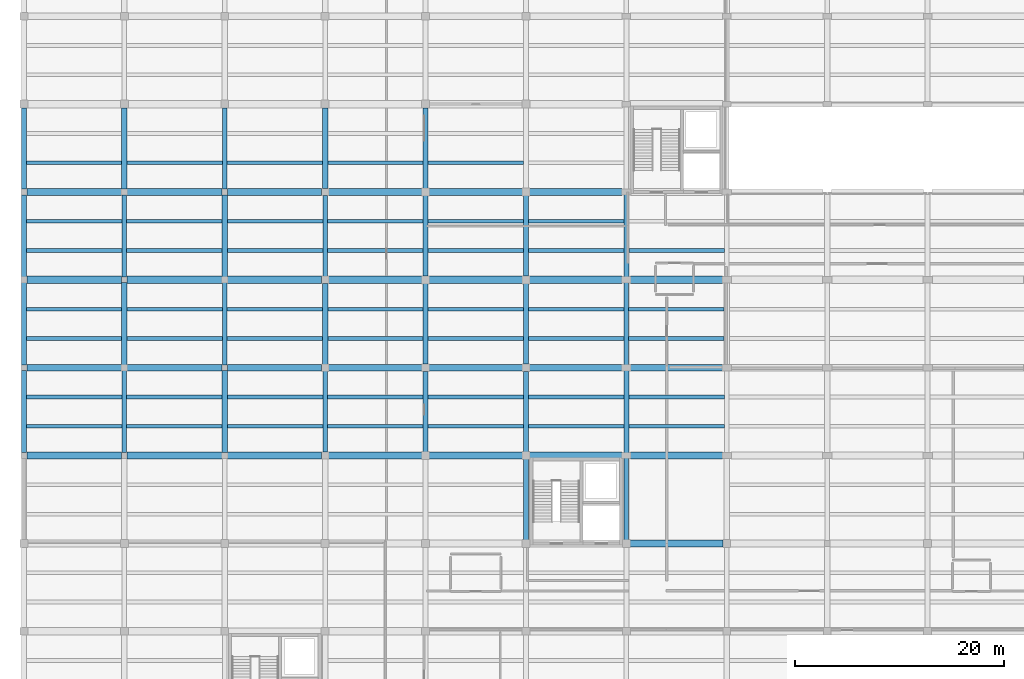
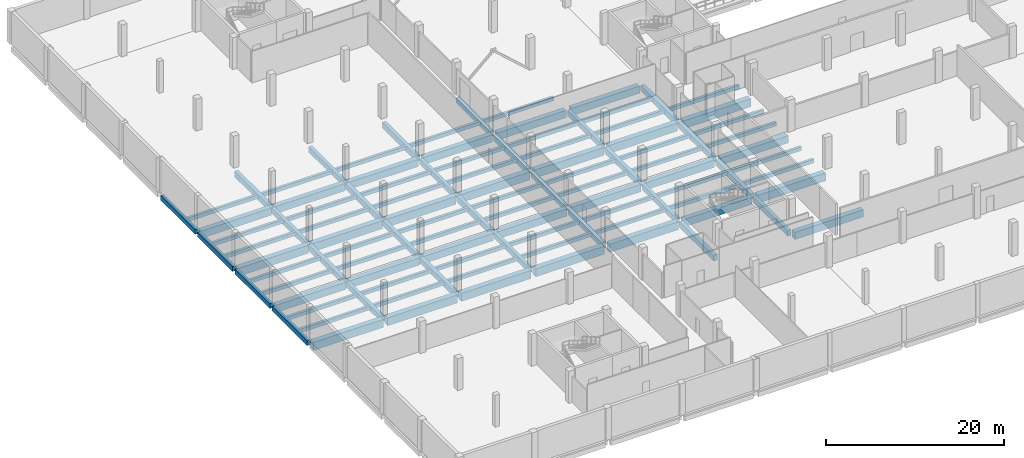
# One storey, part 6 of 30: 102 beams.
"""IFC4 building model written with IfcOpenShell, lengths in metres."""

from ifc_helpers import new_model, si_unit, direction, frame, origin, origin_2d, place, context, subcontext, project, spatial, rectangle, extrude, material, material_profile, profile_set, type_object, element, save


model = new_model("IFC4")

# Units and contexts
model_context = context("Model", 3, precision=1e-05, world=origin(), true_north=direction((0.0, 1.0)))
body_context = subcontext(model_context, "Body", "Model", "MODEL_VIEW")
ifc_project = project(units=[si_unit("LENGTHUNIT", "METRE"), si_unit("AREAUNIT", "SQUARE_METRE"), si_unit("VOLUMEUNIT", "CUBIC_METRE"), si_unit("PLANEANGLEUNIT", "RADIAN"), si_unit("MASSUNIT", "GRAM", prefix="KILO")], contexts=[model_context])

# Site, building, storey
site_placement = place(None, origin())
site = spatial("IfcSite", under=ifc_project, at=site_placement, CompositionType="ELEMENT")
building_placement = place(site_placement, origin())
building = spatial("IfcBuilding", under=site, at=building_placement, Name="Lornevale Opera House", CompositionType="ELEMENT")
storey_placement = place(building_placement, frame((0.0, 0.0, -4.800048828125)))
storey = spatial("IfcBuildingStorey", under=building, at=storey_placement, Name="B1", CompositionType="ELEMENT", Elevation=-4.800048828125)

# Beams
ifc_material_1 = material(Name="Concrete 35 MPa (CSA A23.1 N)", Category="concrete")
ifc_material_profile_1 = material_profile(ifc_material_1, rectangle(XDim=0.449951171875, YDim=0.75, at=origin_2d()), Name="RC450x750")
ifc_profile_set_1 = profile_set([ifc_material_profile_1], Name="Concrete 35 MPa (CSA A23.1 N)")
beam_type_1 = type_object("IfcBeamType", Name="Concrete Floor Beam 450x750", PredefinedType="USERDEFINED", material=ifc_profile_set_1)
beam_1_placement = place(storey_placement, frame((9.60009765625, 33.875, -0.794921875), z_axis=(0.0, 1.0, 0.0), x_axis=(-1.0, 0.0, 0.0)))
element("IfcBeam", 1, at=beam_1_placement, inside=storey, type_object=beam_type_1, Name="Concrete Floor Beam 450x750 0250", ObjectType="GIRDER", PredefinedType="USERDEFINED", context=body_context, shape_type="SweptSolid", body=[
    extrude(rectangle(XDim=0.449951171875, YDim=0.75, at=origin_2d()), origin(), (0.0, 0.0, 1.0), 7.85009765625),
])
beam_2_placement = place(storey_placement, frame((9.60009765625, 50.675048828125, -0.794921875), z_axis=(0.0, 1.0, 0.0), x_axis=(-1.0, 0.0, 0.0)))
element("IfcBeam", 2, at=beam_2_placement, inside=storey, type_object=beam_type_1, Name="Concrete Floor Beam 450x750 0252", ObjectType="GIRDER", PredefinedType="USERDEFINED", context=body_context, shape_type="SweptSolid", body=[
    extrude(rectangle(XDim=0.449951171875, YDim=0.75, at=origin_2d()), origin(), (0.0, 0.0, 1.0), 7.849853515625),
])
beam_3_placement = place(storey_placement, frame((19.199951171875, 42.27490234375, -0.794921875), z_axis=(0.0, 1.0, 0.0), x_axis=(-1.0, 0.0, 0.0)))
element("IfcBeam", 3, at=beam_3_placement, inside=storey, type_object=beam_type_1, Name="Concrete Floor Beam 450x750 0263", ObjectType="GIRDER", PredefinedType="USERDEFINED", context=body_context, shape_type="SweptSolid", body=[
    extrude(rectangle(XDim=0.449951171875, YDim=0.75, at=origin_2d()), origin(), (0.0, 0.0, 1.0), 7.85009765625),
])
beam_4_placement = place(storey_placement, frame((19.199951171875, 59.074951171875, -0.794921875), z_axis=(0.0, 1.0, 0.0), x_axis=(-1.0, 0.0, 0.0)))
element("IfcBeam", 4, at=beam_4_placement, inside=storey, type_object=beam_type_1, Name="Concrete Floor Beam 450x750 0265", ObjectType="GIRDER", PredefinedType="USERDEFINED", context=body_context, shape_type="SweptSolid", body=[
    extrude(rectangle(XDim=0.449951171875, YDim=0.75, at=origin_2d()), origin(), (0.0, 0.0, 1.0), 7.775146484375),
])
for number, where, z_axis, x_axis, name in (
    (5, (28.800048828125, 33.925048828125, -0.794921875), (0.0, 1.0, 0.0), (-1.0, 0.0, 0.0), "Concrete Floor Beam 450x750 0274"),
    (6, (28.800048828125, 50.72509765625, -0.794921875), (0.0, 1.0, 0.0), (-1.0, 0.0, 0.0), "Concrete Floor Beam 450x750 0276"),
):
    element("IfcBeam", number, at=place(storey_placement, frame(where, z_axis=z_axis, x_axis=x_axis)), inside=storey, type_object=beam_type_1, Name=name, ObjectType="GIRDER", PredefinedType="USERDEFINED", context=body_context, shape_type="SweptSolid", body=[
        extrude(rectangle(XDim=0.449951171875, YDim=0.75, at=origin_2d()), origin(), (0.0, 0.0, 1.0), 7.75),
    ])
beam_5_placement = place(storey_placement, frame((38.39990234375, 42.35009765625, -0.794921875), z_axis=(0.0, 1.0, 0.0), x_axis=(-1.0, 0.0, 0.0)))
element("IfcBeam", 7, at=beam_5_placement, inside=storey, type_object=beam_type_1, Name="Concrete Floor Beam 450x750 0287", ObjectType="GIRDER", PredefinedType="USERDEFINED", context=body_context, shape_type="SweptSolid", body=[
    extrude(rectangle(XDim=0.449951171875, YDim=0.75, at=origin_2d()), origin(), (0.0, 0.0, 1.0), 7.699951171875),
])
beam_6_placement = place(storey_placement, frame((38.39990234375, 59.14990234375, -0.794921875), z_axis=(0.0, 1.0, 0.0), x_axis=(-1.0, 0.0, 0.0)))
element("IfcBeam", 8, at=beam_6_placement, inside=storey, type_object=beam_type_1, Name="Concrete Floor Beam 450x750 0289", ObjectType="GIRDER", PredefinedType="USERDEFINED", context=body_context, shape_type="SweptSolid", body=[
    extrude(rectangle(XDim=0.449951171875, YDim=0.75, at=origin_2d()), origin(), (0.0, 0.0, 1.0), 7.7001953125),
])
for number, where, z_axis, x_axis, name in (
    (9, (48.0, 33.949951171875, -0.794921875), (0.0, 1.0, 0.0), (-1.0, 0.0, 0.0), "Concrete Floor Beam 450x750 0300"),
    (10, (48.0, 50.75, -0.794921875), (0.0, 1.0, 0.0), (-1.0, 0.0, 0.0), "Concrete Floor Beam 450x750 0302"),
):
    element("IfcBeam", number, at=place(storey_placement, frame(where, z_axis=z_axis, x_axis=x_axis)), inside=storey, type_object=beam_type_1, Name=name, ObjectType="GIRDER", PredefinedType="USERDEFINED", context=body_context, shape_type="SweptSolid", body=[
        extrude(rectangle(XDim=0.449951171875, YDim=0.75, at=origin_2d()), origin(), (0.0, 0.0, 1.0), 7.699951171875),
    ])
beam_7_placement = place(storey_placement, frame((57.60009765625, 25.550048828125, -0.794921875), z_axis=(0.0, 1.0, 0.0), x_axis=(-1.0, 0.0, 0.0)))
element("IfcBeam", 11, at=beam_7_placement, inside=storey, type_object=beam_type_1, Name="Concrete Floor Beam 450x750 0313", ObjectType="GIRDER", PredefinedType="USERDEFINED", context=body_context, shape_type="SweptSolid", body=[
    extrude(rectangle(XDim=0.449951171875, YDim=0.75, at=origin_2d()), origin(), (0.0, 0.0, 1.0), 7.800048828125),
])
beam_8_placement = place(storey_placement, frame((57.60009765625, 42.25, -0.794921875), z_axis=(0.0, 1.0, 0.0), x_axis=(-1.0, 0.0, 0.0)))
element("IfcBeam", 12, at=beam_8_placement, inside=storey, type_object=beam_type_1, Name="Concrete Floor Beam 450x750 0315", ObjectType="GIRDER", PredefinedType="USERDEFINED", context=body_context, shape_type="SweptSolid", body=[
    extrude(rectangle(XDim=0.449951171875, YDim=0.75, at=origin_2d()), origin(), (0.0, 0.0, 1.0), 7.89990234375),
])
ifc_material_profile_2 = material_profile(ifc_material_1, rectangle(XDim=0.5, YDim=0.800048828125, at=origin_2d()), Name="RC500x800")
ifc_profile_set_2 = profile_set([ifc_material_profile_2], Name="Concrete 35 MPa (CSA A23.1 N)")
beam_type_2 = type_object("IfcBeamType", Name="Concrete Floor Beam 500x800", PredefinedType="USERDEFINED", material=ifc_profile_set_2)
beam_9_placement = place(storey_placement, frame((9.60009765625, 42.27490234375, -0.820068359375), z_axis=(0.0, 1.0, 0.0), x_axis=(-1.0, 0.0, 0.0)))
element("IfcBeam", 13, at=beam_9_placement, inside=storey, type_object=beam_type_2, Name="Concrete Floor Beam 500x800 0251", ObjectType="GIRDER", PredefinedType="USERDEFINED", context=body_context, shape_type="SweptSolid", body=[
    extrude(rectangle(XDim=0.5, YDim=0.800048828125, at=origin_2d()), origin(), (0.0, 0.0, 1.0), 7.85009765625),
])
beam_10_placement = place(storey_placement, frame((9.60009765625, 59.074951171875, -0.820068359375), z_axis=(0.0, 1.0, 0.0), x_axis=(-1.0, 0.0, 0.0)))
element("IfcBeam", 14, at=beam_10_placement, inside=storey, type_object=beam_type_2, Name="Concrete Floor Beam 500x800 0253", ObjectType="GIRDER", PredefinedType="USERDEFINED", context=body_context, shape_type="SweptSolid", body=[
    extrude(rectangle(XDim=0.5, YDim=0.800048828125, at=origin_2d()), origin(), (0.0, 0.0, 1.0), 7.775146484375),
])
beam_11_placement = place(storey_placement, frame((19.199951171875, 33.875, -0.820068359375), z_axis=(0.0, 1.0, 0.0), x_axis=(-1.0, 0.0, 0.0)))
element("IfcBeam", 15, at=beam_11_placement, inside=storey, type_object=beam_type_2, Name="Concrete Floor Beam 500x800 0262", ObjectType="GIRDER", PredefinedType="USERDEFINED", context=body_context, shape_type="SweptSolid", body=[
    extrude(rectangle(XDim=0.5, YDim=0.800048828125, at=origin_2d()), origin(), (0.0, 0.0, 1.0), 7.85009765625),
])
beam_12_placement = place(storey_placement, frame((19.199951171875, 50.675048828125, -0.820068359375), z_axis=(0.0, 1.0, 0.0), x_axis=(-1.0, 0.0, 0.0)))
element("IfcBeam", 16, at=beam_12_placement, inside=storey, type_object=beam_type_2, Name="Concrete Floor Beam 500x800 0264", ObjectType="GIRDER", PredefinedType="USERDEFINED", context=body_context, shape_type="SweptSolid", body=[
    extrude(rectangle(XDim=0.5, YDim=0.800048828125, at=origin_2d()), origin(), (0.0, 0.0, 1.0), 7.849853515625),
])
beam_13_placement = place(storey_placement, frame((28.800048828125, 42.324951171875, -0.820068359375), z_axis=(0.0, 1.0, 0.0), x_axis=(-1.0, 0.0, 0.0)))
element("IfcBeam", 17, at=beam_13_placement, inside=storey, type_object=beam_type_2, Name="Concrete Floor Beam 500x800 0275", ObjectType="GIRDER", PredefinedType="USERDEFINED", context=body_context, shape_type="SweptSolid", body=[
    extrude(rectangle(XDim=0.5, YDim=0.800048828125, at=origin_2d()), origin(), (0.0, 0.0, 1.0), 7.75),
])
beam_14_placement = place(storey_placement, frame((28.800048828125, 59.125, -0.820068359375), z_axis=(0.0, 1.0, 0.0), x_axis=(-1.0, 0.0, 0.0)))
element("IfcBeam", 18, at=beam_14_placement, inside=storey, type_object=beam_type_2, Name="Concrete Floor Beam 500x800 0277", ObjectType="GIRDER", PredefinedType="USERDEFINED", context=body_context, shape_type="SweptSolid", body=[
    extrude(rectangle(XDim=0.5, YDim=0.800048828125, at=origin_2d()), origin(), (0.0, 0.0, 1.0), 7.72509765625),
])
for number, where, z_axis, x_axis, name in (
    (19, (38.39990234375, 33.949951171875, -0.820068359375), (0.0, 1.0, 0.0), (-1.0, 0.0, 0.0), "Concrete Floor Beam 500x800 0286"),
    (20, (38.39990234375, 50.75, -0.820068359375), (0.0, 1.0, 0.0), (-1.0, 0.0, 0.0), "Concrete Floor Beam 500x800 0288"),
    (21, (48.0, 25.550048828125, -0.820068359375), (0.0, 1.0, 0.0), (-1.0, 0.0, 0.0), "Concrete Floor Beam 500x800 0299"),
    (22, (48.0, 42.35009765625, -0.820068359375), (0.0, 1.0, 0.0), (-1.0, 0.0, 0.0), "Concrete Floor Beam 500x800 0301"),
):
    element("IfcBeam", number, at=place(storey_placement, frame(where, z_axis=z_axis, x_axis=x_axis)), inside=storey, type_object=beam_type_2, Name=name, ObjectType="GIRDER", PredefinedType="USERDEFINED", context=body_context, shape_type="SweptSolid", body=[
        extrude(rectangle(XDim=0.5, YDim=0.800048828125, at=origin_2d()), origin(), (0.0, 0.0, 1.0), 7.699951171875),
    ])
beam_15_placement = place(storey_placement, frame((57.60009765625, 33.85009765625, -0.820068359375), z_axis=(0.0, 1.0, 0.0), x_axis=(-1.0, 0.0, 0.0)))
element("IfcBeam", 23, at=beam_15_placement, inside=storey, type_object=beam_type_2, Name="Concrete Floor Beam 500x800 0314", ObjectType="GIRDER", PredefinedType="USERDEFINED", context=body_context, shape_type="SweptSolid", body=[
    extrude(rectangle(XDim=0.5, YDim=0.800048828125, at=origin_2d()), origin(), (0.0, 0.0, 1.0), 7.89990234375),
])
beam_16_placement = place(storey_placement, frame((57.60009765625, 50.64990234375, -0.820068359375), z_axis=(0.0, 1.0, 0.0), x_axis=(-1.0, 0.0, 0.0)))
element("IfcBeam", 24, at=beam_16_placement, inside=storey, type_object=beam_type_2, Name="Concrete Floor Beam 500x800 0316", ObjectType="GIRDER", PredefinedType="USERDEFINED", context=body_context, shape_type="SweptSolid", body=[
    extrude(rectangle(XDim=0.5, YDim=0.800048828125, at=origin_2d()), origin(), (0.0, 0.0, 1.0), 7.900146484375),
])
ifc_material_2 = material(Name="Concrete 40 MPa (CSA A23.1 C-1)", Category="concrete")
ifc_material_profile_3 = material_profile(ifc_material_2, rectangle(XDim=0.64990234375, YDim=1.0, at=origin_2d()), Name="RC650x1000")
ifc_profile_set_3 = profile_set([ifc_material_profile_3], Name="Concrete 40 MPa (CSA A23.1 C-1)")
beam_type_3 = type_object("IfcBeamType", Name="Concrete Primary Girder 650x1000", PredefinedType="USERDEFINED", material=ifc_profile_set_3)
beam_17_placement = place(storey_placement, frame((57.949951171875, 25.199951171875, -0.919921875), z_axis=(1.0, 0.0, 0.0), x_axis=(0.0, 1.0, 0.0)))
element("IfcBeam", 25, at=beam_17_placement, inside=storey, type_object=beam_type_3, Name="Concrete Primary Girder 650x1000 0053", ObjectType="GIRDER", PredefinedType="USERDEFINED", context=body_context, shape_type="SweptSolid", body=[
    extrude(rectangle(XDim=0.64990234375, YDim=1.0, at=origin_2d()), origin(), (0.0, 0.0, 1.0), 8.900146484375),
])
beam_18_placement = place(storey_placement, frame((48.35009765625, 33.60009765625, -0.919921875), z_axis=(1.0, 0.0, 0.0), x_axis=(0.0, 1.0, 0.0)))
element("IfcBeam", 26, at=beam_18_placement, inside=storey, type_object=beam_type_3, Name="Concrete Primary Girder 650x1000 0070", ObjectType="GIRDER", PredefinedType="USERDEFINED", context=body_context, shape_type="SweptSolid", body=[
    extrude(rectangle(XDim=0.64990234375, YDim=1.0, at=origin_2d()), origin(), (0.0, 0.0, 1.0), 8.849853515625),
])
for number, where, z_axis, x_axis, name in (
    (27, (0.27490234375, 42.0, -0.919921875), (1.0, 0.0, 0.0), (0.0, 1.0, 0.0), "Concrete Primary Girder 650x1000 0083"),
    (28, (9.875, 42.0, -0.919921875), (1.0, 0.0, 0.0), (0.0, 1.0, 0.0), "Concrete Primary Girder 650x1000 0084"),
):
    element("IfcBeam", number, at=place(storey_placement, frame(where, z_axis=z_axis, x_axis=x_axis)), inside=storey, type_object=beam_type_3, Name=name, ObjectType="GIRDER", PredefinedType="USERDEFINED", context=body_context, shape_type="SweptSolid", body=[
        extrude(rectangle(XDim=0.64990234375, YDim=1.0, at=origin_2d()), origin(), (0.0, 0.0, 1.0), 9.050048828125),
    ])
beam_19_placement = place(storey_placement, frame((19.47509765625, 42.0, -0.919921875), z_axis=(1.0, 0.0, 0.0), x_axis=(0.0, 1.0, 0.0)))
element("IfcBeam", 29, at=beam_19_placement, inside=storey, type_object=beam_type_3, Name="Concrete Primary Girder 650x1000 0085", ObjectType="GIRDER", PredefinedType="USERDEFINED", context=body_context, shape_type="SweptSolid", body=[
    extrude(rectangle(XDim=0.64990234375, YDim=1.0, at=origin_2d()), origin(), (0.0, 0.0, 1.0), 9.0),
])
beam_20_placement = place(storey_placement, frame((29.125, 42.0, -0.919921875), z_axis=(1.0, 0.0, 0.0), x_axis=(0.0, 1.0, 0.0)))
element("IfcBeam", 30, at=beam_20_placement, inside=storey, type_object=beam_type_3, Name="Concrete Primary Girder 650x1000 0086", ObjectType="GIRDER", PredefinedType="USERDEFINED", context=body_context, shape_type="SweptSolid", body=[
    extrude(rectangle(XDim=0.64990234375, YDim=1.0, at=origin_2d()), origin(), (0.0, 0.0, 1.0), 8.925048828125),
])
beam_21_placement = place(storey_placement, frame((38.75, 42.0, -0.919921875), z_axis=(1.0, 0.0, 0.0), x_axis=(0.0, 1.0, 0.0)))
element("IfcBeam", 31, at=beam_21_placement, inside=storey, type_object=beam_type_3, Name="Concrete Primary Girder 650x1000 0087", ObjectType="GIRDER", PredefinedType="USERDEFINED", context=body_context, shape_type="SweptSolid", body=[
    extrude(rectangle(XDim=0.64990234375, YDim=1.0, at=origin_2d()), origin(), (0.0, 0.0, 1.0), 8.89990234375),
])
beam_22_placement = place(storey_placement, frame((48.35009765625, 42.0, -0.919921875), z_axis=(1.0, 0.0, 0.0), x_axis=(0.0, 1.0, 0.0)))
element("IfcBeam", 32, at=beam_22_placement, inside=storey, type_object=beam_type_3, Name="Concrete Primary Girder 650x1000 0088", ObjectType="GIRDER", PredefinedType="USERDEFINED", context=body_context, shape_type="SweptSolid", body=[
    extrude(rectangle(XDim=0.64990234375, YDim=1.0, at=origin_2d()), origin(), (0.0, 0.0, 1.0), 8.849853515625),
])
beam_23_placement = place(storey_placement, frame((58.0, 42.0, -0.919921875), z_axis=(1.0, 0.0, 0.0), x_axis=(0.0, 1.0, 0.0)))
element("IfcBeam", 33, at=beam_23_placement, inside=storey, type_object=beam_type_3, Name="Concrete Primary Girder 650x1000 0089", ObjectType="GIRDER", PredefinedType="USERDEFINED", context=body_context, shape_type="SweptSolid", body=[
    extrude(rectangle(XDim=0.64990234375, YDim=1.0, at=origin_2d()), origin(), (0.0, 0.0, 1.0), 8.800048828125),
])
for number, where, z_axis, x_axis, name in (
    (34, (0.27490234375, 58.800048828125, -0.919921875), (1.0, 0.0, 0.0), (0.0, 1.0, 0.0), "Concrete Primary Girder 650x1000 0119"),
    (35, (9.875, 58.800048828125, -0.919921875), (1.0, 0.0, 0.0), (0.0, 1.0, 0.0), "Concrete Primary Girder 650x1000 0120"),
):
    element("IfcBeam", number, at=place(storey_placement, frame(where, z_axis=z_axis, x_axis=x_axis)), inside=storey, type_object=beam_type_3, Name=name, ObjectType="GIRDER", PredefinedType="USERDEFINED", context=body_context, shape_type="SweptSolid", body=[
        extrude(rectangle(XDim=0.64990234375, YDim=1.0, at=origin_2d()), origin(), (0.0, 0.0, 1.0), 9.050048828125),
    ])
beam_24_placement = place(storey_placement, frame((19.47509765625, 58.800048828125, -0.919921875), z_axis=(1.0, 0.0, 0.0), x_axis=(0.0, 1.0, 0.0)))
element("IfcBeam", 36, at=beam_24_placement, inside=storey, type_object=beam_type_3, Name="Concrete Primary Girder 650x1000 0121", ObjectType="GIRDER", PredefinedType="USERDEFINED", context=body_context, shape_type="SweptSolid", body=[
    extrude(rectangle(XDim=0.64990234375, YDim=1.0, at=origin_2d()), origin(), (0.0, 0.0, 1.0), 9.0),
])
beam_25_placement = place(storey_placement, frame((29.125, 58.800048828125, -0.919921875), z_axis=(1.0, 0.0, 0.0), x_axis=(0.0, 1.0, 0.0)))
element("IfcBeam", 37, at=beam_25_placement, inside=storey, type_object=beam_type_3, Name="Concrete Primary Girder 650x1000 0122", ObjectType="GIRDER", PredefinedType="USERDEFINED", context=body_context, shape_type="SweptSolid", body=[
    extrude(rectangle(XDim=0.64990234375, YDim=1.0, at=origin_2d()), origin(), (0.0, 0.0, 1.0), 8.925048828125),
])
beam_26_placement = place(storey_placement, frame((38.75, 58.800048828125, -0.919921875), z_axis=(1.0, 0.0, 0.0), x_axis=(0.0, 1.0, 0.0)))
element("IfcBeam", 38, at=beam_26_placement, inside=storey, type_object=beam_type_3, Name="Concrete Primary Girder 650x1000 0123", ObjectType="GIRDER", PredefinedType="USERDEFINED", context=body_context, shape_type="SweptSolid", body=[
    extrude(rectangle(XDim=0.64990234375, YDim=1.0, at=origin_2d()), origin(), (0.0, 0.0, 1.0), 8.89990234375),
])
beam_27_placement = place(storey_placement, frame((48.35009765625, 58.800048828125, -0.919921875), z_axis=(1.0, 0.0, 0.0), x_axis=(0.0, 1.0, 0.0)))
element("IfcBeam", 39, at=beam_27_placement, inside=storey, type_object=beam_type_3, Name="Concrete Primary Girder 650x1000 0124", ObjectType="GIRDER", PredefinedType="USERDEFINED", context=body_context, shape_type="SweptSolid", body=[
    extrude(rectangle(XDim=0.64990234375, YDim=1.0, at=origin_2d()), origin(), (0.0, 0.0, 1.0), 8.849853515625),
])
ifc_material_profile_4 = material_profile(ifc_material_2, rectangle(XDim=0.699951171875, YDim=1.10009765625, at=origin_2d()), Name="RC700x1100")
ifc_profile_set_4 = profile_set([ifc_material_profile_4], Name="Concrete 40 MPa (CSA A23.1 C-1)")
beam_type_4 = type_object("IfcBeamType", Name="Concrete Primary Girder 700x1100", PredefinedType="USERDEFINED", material=ifc_profile_set_4)
for number, where, z_axis, x_axis, name in (
    (40, (0.27490234375, 33.60009765625, -0.969970703125), (1.0, 0.0, 0.0), (0.0, 1.0, 0.0), "Concrete Primary Girder 700x1100 0065"),
    (41, (9.875, 33.60009765625, -0.969970703125), (1.0, 0.0, 0.0), (0.0, 1.0, 0.0), "Concrete Primary Girder 700x1100 0066"),
):
    element("IfcBeam", number, at=place(storey_placement, frame(where, z_axis=z_axis, x_axis=x_axis)), inside=storey, type_object=beam_type_4, Name=name, ObjectType="GIRDER", PredefinedType="USERDEFINED", context=body_context, shape_type="SweptSolid", body=[
        extrude(rectangle(XDim=0.699951171875, YDim=1.10009765625, at=origin_2d()), origin(), (0.0, 0.0, 1.0), 9.050048828125),
    ])
beam_28_placement = place(storey_placement, frame((19.47509765625, 33.60009765625, -0.969970703125), z_axis=(1.0, 0.0, 0.0), x_axis=(0.0, 1.0, 0.0)))
element("IfcBeam", 42, at=beam_28_placement, inside=storey, type_object=beam_type_4, Name="Concrete Primary Girder 700x1100 0067", ObjectType="GIRDER", PredefinedType="USERDEFINED", context=body_context, shape_type="SweptSolid", body=[
    extrude(rectangle(XDim=0.699951171875, YDim=1.10009765625, at=origin_2d()), origin(), (0.0, 0.0, 1.0), 9.0),
])
beam_29_placement = place(storey_placement, frame((29.125, 33.60009765625, -0.969970703125), z_axis=(1.0, 0.0, 0.0), x_axis=(0.0, 1.0, 0.0)))
element("IfcBeam", 43, at=beam_29_placement, inside=storey, type_object=beam_type_4, Name="Concrete Primary Girder 700x1100 0068", ObjectType="GIRDER", PredefinedType="USERDEFINED", context=body_context, shape_type="SweptSolid", body=[
    extrude(rectangle(XDim=0.699951171875, YDim=1.10009765625, at=origin_2d()), origin(), (0.0, 0.0, 1.0), 8.925048828125),
])
beam_30_placement = place(storey_placement, frame((38.75, 33.60009765625, -0.969970703125), z_axis=(1.0, 0.0, 0.0), x_axis=(0.0, 1.0, 0.0)))
element("IfcBeam", 44, at=beam_30_placement, inside=storey, type_object=beam_type_4, Name="Concrete Primary Girder 700x1100 0069", ObjectType="GIRDER", PredefinedType="USERDEFINED", context=body_context, shape_type="SweptSolid", body=[
    extrude(rectangle(XDim=0.699951171875, YDim=1.10009765625, at=origin_2d()), origin(), (0.0, 0.0, 1.0), 8.89990234375),
])
beam_31_placement = place(storey_placement, frame((58.0, 33.60009765625, -0.969970703125), z_axis=(1.0, 0.0, 0.0), x_axis=(0.0, 1.0, 0.0)))
element("IfcBeam", 45, at=beam_31_placement, inside=storey, type_object=beam_type_4, Name="Concrete Primary Girder 700x1100 0071", ObjectType="GIRDER", PredefinedType="USERDEFINED", context=body_context, shape_type="SweptSolid", body=[
    extrude(rectangle(XDim=0.699951171875, YDim=1.10009765625, at=origin_2d()), origin(), (0.0, 0.0, 1.0), 8.800048828125),
])
for number, where, z_axis, x_axis, name in (
    (46, (0.27490234375, 50.39990234375, -0.969970703125), (1.0, 0.0, 0.0), (0.0, 1.0, 0.0), "Concrete Primary Girder 700x1100 0101"),
    (47, (9.875, 50.39990234375, -0.969970703125), (1.0, 0.0, 0.0), (0.0, 1.0, 0.0), "Concrete Primary Girder 700x1100 0102"),
):
    element("IfcBeam", number, at=place(storey_placement, frame(where, z_axis=z_axis, x_axis=x_axis)), inside=storey, type_object=beam_type_4, Name=name, ObjectType="GIRDER", PredefinedType="USERDEFINED", context=body_context, shape_type="SweptSolid", body=[
        extrude(rectangle(XDim=0.699951171875, YDim=1.10009765625, at=origin_2d()), origin(), (0.0, 0.0, 1.0), 9.050048828125),
    ])
beam_32_placement = place(storey_placement, frame((19.47509765625, 50.39990234375, -0.969970703125), z_axis=(1.0, 0.0, 0.0), x_axis=(0.0, 1.0, 0.0)))
element("IfcBeam", 48, at=beam_32_placement, inside=storey, type_object=beam_type_4, Name="Concrete Primary Girder 700x1100 0103", ObjectType="GIRDER", PredefinedType="USERDEFINED", context=body_context, shape_type="SweptSolid", body=[
    extrude(rectangle(XDim=0.699951171875, YDim=1.10009765625, at=origin_2d()), origin(), (0.0, 0.0, 1.0), 9.0),
])
beam_33_placement = place(storey_placement, frame((29.125, 50.39990234375, -0.969970703125), z_axis=(1.0, 0.0, 0.0), x_axis=(0.0, 1.0, 0.0)))
element("IfcBeam", 49, at=beam_33_placement, inside=storey, type_object=beam_type_4, Name="Concrete Primary Girder 700x1100 0104", ObjectType="GIRDER", PredefinedType="USERDEFINED", context=body_context, shape_type="SweptSolid", body=[
    extrude(rectangle(XDim=0.699951171875, YDim=1.10009765625, at=origin_2d()), origin(), (0.0, 0.0, 1.0), 8.925048828125),
])
beam_34_placement = place(storey_placement, frame((38.75, 50.39990234375, -0.969970703125), z_axis=(1.0, 0.0, 0.0), x_axis=(0.0, 1.0, 0.0)))
element("IfcBeam", 50, at=beam_34_placement, inside=storey, type_object=beam_type_4, Name="Concrete Primary Girder 700x1100 0105", ObjectType="GIRDER", PredefinedType="USERDEFINED", context=body_context, shape_type="SweptSolid", body=[
    extrude(rectangle(XDim=0.699951171875, YDim=1.10009765625, at=origin_2d()), origin(), (0.0, 0.0, 1.0), 8.89990234375),
])
beam_35_placement = place(storey_placement, frame((48.35009765625, 50.39990234375, -0.969970703125), z_axis=(1.0, 0.0, 0.0), x_axis=(0.0, 1.0, 0.0)))
element("IfcBeam", 51, at=beam_35_placement, inside=storey, type_object=beam_type_4, Name="Concrete Primary Girder 700x1100 0106", ObjectType="GIRDER", PredefinedType="USERDEFINED", context=body_context, shape_type="SweptSolid", body=[
    extrude(rectangle(XDim=0.699951171875, YDim=1.10009765625, at=origin_2d()), origin(), (0.0, 0.0, 1.0), 8.849853515625),
])
beam_36_placement = place(storey_placement, frame((58.0, 50.39990234375, -0.969970703125), z_axis=(1.0, 0.0, 0.0), x_axis=(0.0, 1.0, 0.0)))
element("IfcBeam", 52, at=beam_36_placement, inside=storey, type_object=beam_type_4, Name="Concrete Primary Girder 700x1100 0107", ObjectType="GIRDER", PredefinedType="USERDEFINED", context=body_context, shape_type="SweptSolid", body=[
    extrude(rectangle(XDim=0.699951171875, YDim=1.10009765625, at=origin_2d()), origin(), (0.0, 0.0, 1.0), 8.800048828125),
])
ifc_material_profile_5 = material_profile(ifc_material_1, rectangle(XDim=0.35009765625, YDim=0.5, at=origin_2d()), Name="RC350x500")
ifc_profile_set_5 = profile_set([ifc_material_profile_5], Name="Concrete 35 MPa (CSA A23.1 N)")
beam_type_5 = type_object("IfcBeamType", Name="Concrete Secondary Rib 350x500", PredefinedType="JOIST", material=ifc_profile_set_5)
for number, where, z_axis, x_axis, name in (
    (53, (0.22509765625, 36.39990234375, -0.669921875), (1.0, 0.0, 0.0), (0.0, 1.0, 0.0), "Concrete Secondary Rib 350x500 0469"),
    (54, (0.22509765625, 39.199951171875, -0.669921875), (1.0, 0.0, 0.0), (0.0, 1.0, 0.0), "Concrete Secondary Rib 350x500 0470"),
):
    element("IfcBeam", number, at=place(storey_placement, frame(where, z_axis=z_axis, x_axis=x_axis)), inside=storey, type_object=beam_type_5, Name=name, PredefinedType="JOIST", context=body_context, shape_type="SweptSolid", body=[
        extrude(rectangle(XDim=0.35009765625, YDim=0.5, at=origin_2d()), origin(), (0.0, 0.0, 1.0), 9.14990234375),
    ])
for number, where, z_axis, x_axis, name in (
    (55, (0.22509765625, 44.800048828125, -0.669921875), (1.0, 0.0, 0.0), (0.0, 1.0, 0.0), "Concrete Secondary Rib 350x500 0471"),
    (56, (0.22509765625, 47.60009765625, -0.669921875), (1.0, 0.0, 0.0), (0.0, 1.0, 0.0), "Concrete Secondary Rib 350x500 0472"),
):
    element("IfcBeam", number, at=place(storey_placement, frame(where, z_axis=z_axis, x_axis=x_axis)), inside=storey, type_object=beam_type_5, Name=name, PredefinedType="JOIST", context=body_context, shape_type="SweptSolid", body=[
        extrude(rectangle(XDim=0.35009765625, YDim=0.5, at=origin_2d()), origin(), (0.0, 0.0, 1.0), 9.125),
    ])
for number, where, z_axis, x_axis, name in (
    (57, (0.22509765625, 53.199951171875, -0.669921875), (1.0, 0.0, 0.0), (0.0, 1.0, 0.0), "Concrete Secondary Rib 350x500 0473"),
    (58, (0.22509765625, 56.0, -0.669921875), (1.0, 0.0, 0.0), (0.0, 1.0, 0.0), "Concrete Secondary Rib 350x500 0474"),
):
    element("IfcBeam", number, at=place(storey_placement, frame(where, z_axis=z_axis, x_axis=x_axis)), inside=storey, type_object=beam_type_5, Name=name, PredefinedType="JOIST", context=body_context, shape_type="SweptSolid", body=[
        extrude(rectangle(XDim=0.35009765625, YDim=0.5, at=origin_2d()), origin(), (0.0, 0.0, 1.0), 9.14990234375),
    ])
for number, where, z_axis, x_axis, name in (
    (59, (0.22509765625, 61.60009765625, -0.669921875), (1.0, 0.0, 0.0), (0.0, 1.0, 0.0), "Concrete Secondary Rib 350x500 0475"),
    (60, (9.824951171875, 36.39990234375, -0.669921875), (1.0, 0.0, 0.0), (0.0, 1.0, 0.0), "Concrete Secondary Rib 350x500 0493"),
    (61, (9.824951171875, 39.199951171875, -0.669921875), (1.0, 0.0, 0.0), (0.0, 1.0, 0.0), "Concrete Secondary Rib 350x500 0494"),
    (62, (9.85009765625, 44.800048828125, -0.669921875), (1.0, 0.0, 0.0), (0.0, 1.0, 0.0), "Concrete Secondary Rib 350x500 0495"),
    (63, (9.85009765625, 47.60009765625, -0.669921875), (1.0, 0.0, 0.0), (0.0, 1.0, 0.0), "Concrete Secondary Rib 350x500 0496"),
    (64, (9.824951171875, 53.199951171875, -0.669921875), (1.0, 0.0, 0.0), (0.0, 1.0, 0.0), "Concrete Secondary Rib 350x500 0497"),
    (65, (9.824951171875, 56.0, -0.669921875), (1.0, 0.0, 0.0), (0.0, 1.0, 0.0), "Concrete Secondary Rib 350x500 0498"),
    (66, (9.85009765625, 61.60009765625, -0.669921875), (1.0, 0.0, 0.0), (0.0, 1.0, 0.0), "Concrete Secondary Rib 350x500 0499"),
    (67, (19.449951171875, 36.39990234375, -0.669921875), (1.0, 0.0, 0.0), (0.0, 1.0, 0.0), "Concrete Secondary Rib 350x500 0515"),
    (68, (19.449951171875, 39.199951171875, -0.669921875), (1.0, 0.0, 0.0), (0.0, 1.0, 0.0), "Concrete Secondary Rib 350x500 0516"),
    (69, (19.425048828125, 44.800048828125, -0.669921875), (1.0, 0.0, 0.0), (0.0, 1.0, 0.0), "Concrete Secondary Rib 350x500 0517"),
    (70, (19.425048828125, 47.60009765625, -0.669921875), (1.0, 0.0, 0.0), (0.0, 1.0, 0.0), "Concrete Secondary Rib 350x500 0518"),
    (71, (19.449951171875, 53.199951171875, -0.669921875), (1.0, 0.0, 0.0), (0.0, 1.0, 0.0), "Concrete Secondary Rib 350x500 0519"),
    (72, (19.449951171875, 56.0, -0.669921875), (1.0, 0.0, 0.0), (0.0, 1.0, 0.0), "Concrete Secondary Rib 350x500 0520"),
    (73, (19.425048828125, 61.60009765625, -0.669921875), (1.0, 0.0, 0.0), (0.0, 1.0, 0.0), "Concrete Secondary Rib 350x500 0521"),
    (74, (29.02490234375, 36.39990234375, -0.669921875), (1.0, 0.0, 0.0), (0.0, 1.0, 0.0), "Concrete Secondary Rib 350x500 0537"),
    (75, (29.02490234375, 39.199951171875, -0.669921875), (1.0, 0.0, 0.0), (0.0, 1.0, 0.0), "Concrete Secondary Rib 350x500 0538"),
    (76, (29.050048828125, 44.800048828125, -0.669921875), (1.0, 0.0, 0.0), (0.0, 1.0, 0.0), "Concrete Secondary Rib 350x500 0539"),
    (77, (29.050048828125, 47.60009765625, -0.669921875), (1.0, 0.0, 0.0), (0.0, 1.0, 0.0), "Concrete Secondary Rib 350x500 0540"),
    (78, (29.02490234375, 53.199951171875, -0.669921875), (1.0, 0.0, 0.0), (0.0, 1.0, 0.0), "Concrete Secondary Rib 350x500 0541"),
    (79, (29.02490234375, 56.0, -0.669921875), (1.0, 0.0, 0.0), (0.0, 1.0, 0.0), "Concrete Secondary Rib 350x500 0542"),
    (80, (29.050048828125, 61.60009765625, -0.669921875), (1.0, 0.0, 0.0), (0.0, 1.0, 0.0), "Concrete Secondary Rib 350x500 0543"),
    (81, (38.64990234375, 36.39990234375, -0.669921875), (1.0, 0.0, 0.0), (0.0, 1.0, 0.0), "Concrete Secondary Rib 350x500 0561"),
    (82, (38.64990234375, 39.199951171875, -0.669921875), (1.0, 0.0, 0.0), (0.0, 1.0, 0.0), "Concrete Secondary Rib 350x500 0562"),
    (83, (38.625, 44.800048828125, -0.669921875), (1.0, 0.0, 0.0), (0.0, 1.0, 0.0), "Concrete Secondary Rib 350x500 0563"),
    (84, (38.625, 47.60009765625, -0.669921875), (1.0, 0.0, 0.0), (0.0, 1.0, 0.0), "Concrete Secondary Rib 350x500 0564"),
    (85, (38.64990234375, 53.199951171875, -0.669921875), (1.0, 0.0, 0.0), (0.0, 1.0, 0.0), "Concrete Secondary Rib 350x500 0565"),
    (86, (38.64990234375, 56.0, -0.669921875), (1.0, 0.0, 0.0), (0.0, 1.0, 0.0), "Concrete Secondary Rib 350x500 0566"),
    (87, (38.625, 61.60009765625, -0.669921875), (1.0, 0.0, 0.0), (0.0, 1.0, 0.0), "Concrete Secondary Rib 350x500 0567"),
    (88, (48.22509765625, 36.39990234375, -0.669921875), (1.0, 0.0, 0.0), (0.0, 1.0, 0.0), "Concrete Secondary Rib 350x500 0587"),
    (89, (48.22509765625, 39.199951171875, -0.669921875), (1.0, 0.0, 0.0), (0.0, 1.0, 0.0), "Concrete Secondary Rib 350x500 0588"),
    (90, (48.25, 44.800048828125, -0.669921875), (1.0, 0.0, 0.0), (0.0, 1.0, 0.0), "Concrete Secondary Rib 350x500 0589"),
    (91, (48.25, 47.60009765625, -0.669921875), (1.0, 0.0, 0.0), (0.0, 1.0, 0.0), "Concrete Secondary Rib 350x500 0590"),
    (92, (48.22509765625, 53.199951171875, -0.669921875), (1.0, 0.0, 0.0), (0.0, 1.0, 0.0), "Concrete Secondary Rib 350x500 0591"),
    (93, (48.22509765625, 56.0, -0.669921875), (1.0, 0.0, 0.0), (0.0, 1.0, 0.0), "Concrete Secondary Rib 350x500 0592"),
    (94, (57.85009765625, 36.39990234375, -0.669921875), (1.0, 0.0, 0.0), (0.0, 1.0, 0.0), "Concrete Secondary Rib 350x500 0613"),
    (95, (57.85009765625, 39.199951171875, -0.669921875), (1.0, 0.0, 0.0), (0.0, 1.0, 0.0), "Concrete Secondary Rib 350x500 0614"),
    (96, (57.824951171875, 44.800048828125, -0.669921875), (1.0, 0.0, 0.0), (0.0, 1.0, 0.0), "Concrete Secondary Rib 350x500 0615"),
    (97, (57.824951171875, 47.60009765625, -0.669921875), (1.0, 0.0, 0.0), (0.0, 1.0, 0.0), "Concrete Secondary Rib 350x500 0616"),
    (98, (57.85009765625, 53.199951171875, -0.669921875), (1.0, 0.0, 0.0), (0.0, 1.0, 0.0), "Concrete Secondary Rib 350x500 0617"),
):
    element("IfcBeam", number, at=place(storey_placement, frame(where, z_axis=z_axis, x_axis=x_axis)), inside=storey, type_object=beam_type_5, Name=name, PredefinedType="JOIST", context=body_context, shape_type="SweptSolid", body=[
        extrude(rectangle(XDim=0.35009765625, YDim=0.5, at=origin_2d()), origin(), (0.0, 0.0, 1.0), 9.125),
    ])
ifc_material_profile_6 = material_profile(ifc_material_1, rectangle(XDim=0.449951171875, YDim=0.64990234375, at=origin_2d()), Name="RC450x650")
ifc_profile_set_6 = profile_set([ifc_material_profile_6], Name="Concrete 35 MPa (CSA A23.1 N)")
beam_type_6 = type_object("IfcBeamType", Name="Concrete Spandrel Beam 450x650", PredefinedType="SPANDREL", material=ifc_profile_set_6)
for number, where, z_axis, x_axis, name in (
    (99, (0.0, 33.875, -0.744873046875), (0.0, 1.0, 0.0), (-1.0, 0.0, 0.0), "Concrete Spandrel Beam 450x650 0238"),
    (100, (0.0, 42.27490234375, -0.744873046875), (0.0, 1.0, 0.0), (-1.0, 0.0, 0.0), "Concrete Spandrel Beam 450x650 0239"),
):
    element("IfcBeam", number, at=place(storey_placement, frame(where, z_axis=z_axis, x_axis=x_axis)), inside=storey, type_object=beam_type_6, Name=name, PredefinedType="SPANDREL", context=body_context, shape_type="SweptSolid", body=[
        extrude(rectangle(XDim=0.449951171875, YDim=0.64990234375, at=origin_2d()), origin(), (0.0, 0.0, 1.0), 7.85009765625),
    ])
beam_37_placement = place(storey_placement, frame((0.0, 50.675048828125, -0.744873046875), z_axis=(0.0, 1.0, 0.0), x_axis=(-1.0, 0.0, 0.0)))
element("IfcBeam", 101, at=beam_37_placement, inside=storey, type_object=beam_type_6, Name="Concrete Spandrel Beam 450x650 0240", PredefinedType="SPANDREL", context=body_context, shape_type="SweptSolid", body=[
    extrude(rectangle(XDim=0.449951171875, YDim=0.64990234375, at=origin_2d()), origin(), (0.0, 0.0, 1.0), 7.849853515625),
])
beam_38_placement = place(storey_placement, frame((0.0, 59.074951171875, -0.744873046875), z_axis=(0.0, 1.0, 0.0), x_axis=(-1.0, 0.0, 0.0)))
element("IfcBeam", 102, at=beam_38_placement, inside=storey, type_object=beam_type_6, Name="Concrete Spandrel Beam 450x650 0241", PredefinedType="SPANDREL", context=body_context, shape_type="SweptSolid", body=[
    extrude(rectangle(XDim=0.449951171875, YDim=0.64990234375, at=origin_2d()), origin(), (0.0, 0.0, 1.0), 7.775146484375),
])

save(model, "model.ifc")
